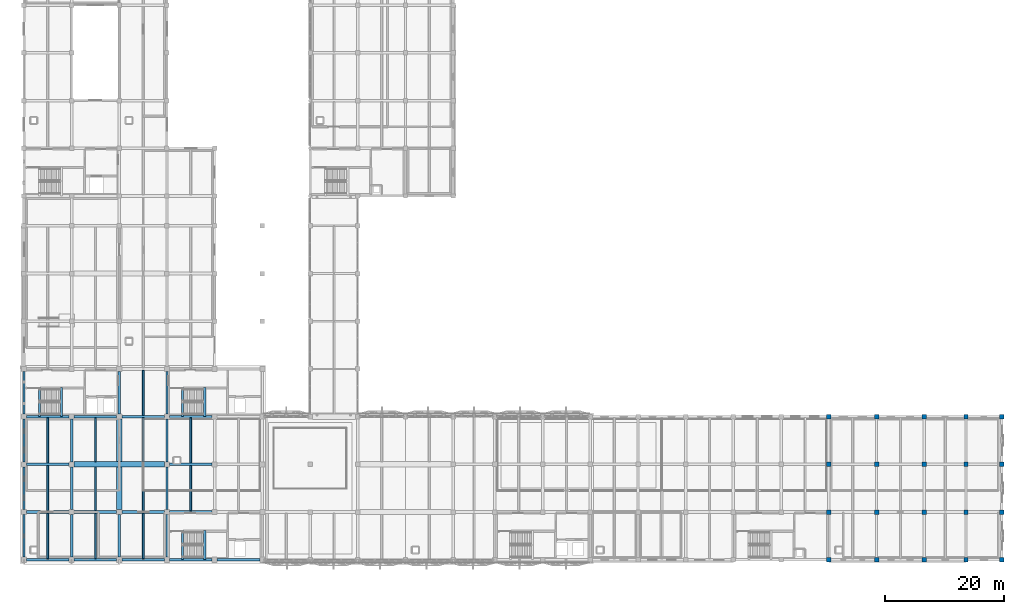
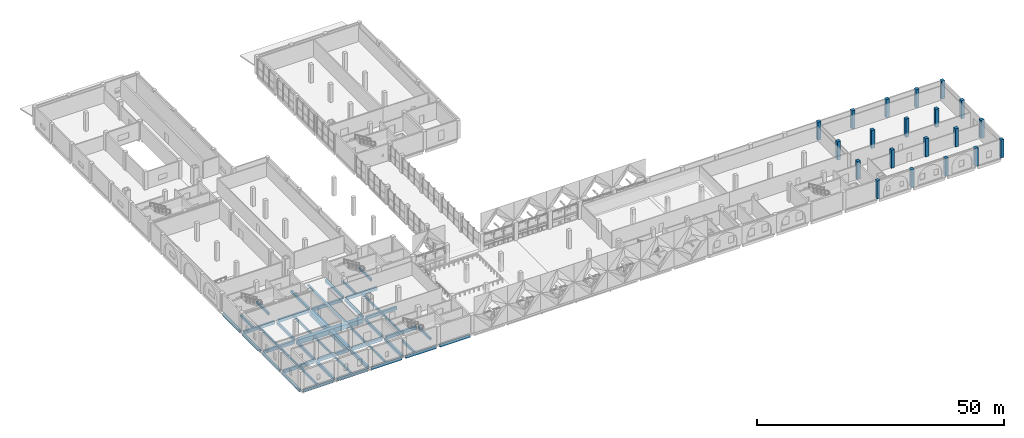
# One storey, part 4 of 53: 48 beams, 20 columns.
"""IFC4 building model written with IfcOpenShell, lengths in metres."""

from ifc_helpers import new_model, si_unit, direction, frame, origin, origin_2d, place, context, subcontext, project, spatial, rectangle, extrude, material, material_profile, profile_set, type_object, element, save


model = new_model("IFC4")

# Units and contexts
model_context = context("Model", 3, precision=1e-05, world=origin(), true_north=direction((0.0, 1.0)))
body_context = subcontext(model_context, "Body", "Model", "MODEL_VIEW")
ifc_project = project(units=[si_unit("LENGTHUNIT", "METRE"), si_unit("AREAUNIT", "SQUARE_METRE"), si_unit("VOLUMEUNIT", "CUBIC_METRE"), si_unit("PLANEANGLEUNIT", "RADIAN"), si_unit("MASSUNIT", "GRAM", prefix="KILO")], contexts=[model_context])

# Site, building, storey
site_placement = place(None, origin())
site = spatial("IfcSite", under=ifc_project, at=site_placement, CompositionType="ELEMENT")
building_placement = place(site_placement, origin())
building = spatial("IfcBuilding", under=site, at=building_placement, Name="Qorikala Patio Media Centre", CompositionType="ELEMENT")
storey_placement = place(building_placement, frame((0.0, 0.0, 5.39990234375)))
storey = spatial("IfcBuildingStorey", under=building, at=storey_placement, Name="L01", CompositionType="ELEMENT", Elevation=5.39990234375)

# Columns
ifc_material = material(Name="Concrete C35/45", Category="concrete")
ifc_material_profile_1 = material_profile(ifc_material, rectangle(XDim=0.75, YDim=0.75, at=origin_2d()), Name="RC 750x750")
ifc_profile_set_1 = profile_set([ifc_material_profile_1], Name="Concrete C35/45")
column_type_1 = type_object("IfcColumnType", Name="RC-COL-750-EXT", PredefinedType="COLUMN", material=ifc_profile_set_1)
for number, where, z_axis, x_axis, name in (
    (1, (138.0, 3.0, 0.0), (0.0, 0.0, 1.0), (1.0, 0.0, 0.0), "L01 Column (138,3)"),
    (2, (138.0, 27.0, 0.0), (0.0, 0.0, 1.0), (1.0, 0.0, 0.0), "L01 Column (138,27)"),
    (3, (146.0, 3.0, 0.0), (0.0, 0.0, 1.0), (1.0, 0.0, 0.0), "L01 Column (146,3)"),
    (4, (146.0, 27.0, 0.0), (0.0, 0.0, 1.0), (1.0, 0.0, 0.0), "L01 Column (146,27)"),
    (5, (154.0, 3.0, 0.0), (0.0, 0.0, 1.0), (1.0, 0.0, 0.0), "L01 Column (154,3)"),
    (6, (154.0, 27.0, 0.0), (0.0, 0.0, 1.0), (1.0, 0.0, 0.0), "L01 Column (154,27)"),
    (7, (161.0, 3.0, 0.0), (0.0, 0.0, 1.0), (1.0, 0.0, 0.0), "L01 Column (161,3)"),
    (8, (161.0, 27.0, 0.0), (0.0, 0.0, 1.0), (1.0, 0.0, 0.0), "L01 Column (161,27)"),
    (9, (167.0, 3.0, 0.0), (0.0, 0.0, 1.0), (1.0, 0.0, 0.0), "L01 Column (167,3)"),
    (10, (167.0, 11.0, 0.0), (0.0, 0.0, 1.0), (1.0, 0.0, 0.0), "L01 Column (167,11)"),
    (11, (167.0, 19.0, 0.0), (0.0, 0.0, 1.0), (1.0, 0.0, 0.0), "L01 Column (167,19)"),
    (12, (167.0, 27.0, 0.0), (0.0, 0.0, 1.0), (1.0, 0.0, 0.0), "L01 Column (167,27)"),
):
    element("IfcColumn", number, at=place(storey_placement, frame(where, z_axis=z_axis, x_axis=x_axis)), inside=storey, type_object=column_type_1, Name=name, PredefinedType="COLUMN", context=body_context, shape_type="SweptSolid", body=[
        extrude(rectangle(XDim=0.75, YDim=0.75, at=origin_2d()), origin(), (0.0, 0.0, 1.0), 4.5),
    ])
ifc_material_profile_2 = material_profile(ifc_material, rectangle(XDim=0.75, YDim=0.75, at=origin_2d()), Name="RC 750x750")
ifc_profile_set_2 = profile_set([ifc_material_profile_2], Name="Concrete C35/45")
column_type_2 = type_object("IfcColumnType", Name="RC-COL-750-INT", PredefinedType="COLUMN", material=ifc_profile_set_2)
for number, where, z_axis, x_axis, name in (
    (13, (138.0, 11.0, 0.0), (0.0, 0.0, 1.0), (1.0, 0.0, 0.0), "L01 Column (138,11)"),
    (14, (138.0, 19.0, 0.0), (0.0, 0.0, 1.0), (1.0, 0.0, 0.0), "L01 Column (138,19)"),
    (15, (146.0, 11.0, 0.0), (0.0, 0.0, 1.0), (1.0, 0.0, 0.0), "L01 Column (146,11)"),
    (16, (146.0, 19.0, 0.0), (0.0, 0.0, 1.0), (1.0, 0.0, 0.0), "L01 Column (146,19)"),
    (17, (154.0, 11.0, 0.0), (0.0, 0.0, 1.0), (1.0, 0.0, 0.0), "L01 Column (154,11)"),
    (18, (154.0, 19.0, 0.0), (0.0, 0.0, 1.0), (1.0, 0.0, 0.0), "L01 Column (154,19)"),
    (19, (161.0, 11.0, 0.0), (0.0, 0.0, 1.0), (1.0, 0.0, 0.0), "L01 Column (161,11)"),
    (20, (161.0, 19.0, 0.0), (0.0, 0.0, 1.0), (1.0, 0.0, 0.0), "L01 Column (161,19)"),
):
    element("IfcColumn", number, at=place(storey_placement, frame(where, z_axis=z_axis, x_axis=x_axis)), inside=storey, type_object=column_type_2, Name=name, PredefinedType="COLUMN", context=body_context, shape_type="SweptSolid", body=[
        extrude(rectangle(XDim=0.75, YDim=0.75, at=origin_2d()), origin(), (0.0, 0.0, 1.0), 4.5),
    ])

# Beams
ifc_material_profile_3 = material_profile(ifc_material, rectangle(XDim=0.35009765625, YDim=0.60009765625, at=origin_2d()), Name="RC 350x600")
ifc_profile_set_3 = profile_set([ifc_material_profile_3], Name="Concrete C35/45")
beam_type_1 = type_object("IfcBeamType", Name="BM-G350X600", PredefinedType="BEAM", material=ifc_profile_set_3)
beam_1_placement = place(storey_placement, frame((29.60009765625, 3.0, -0.2998046875), z_axis=(0.0, 1.0, 0.0), x_axis=(-1.0, 0.0, 0.0)))
element("IfcBeam", 21, at=beam_1_placement, inside=storey, type_object=beam_type_1, Name="L01 ST-1 Well Trimmer Beam", PredefinedType="BEAM", context=body_context, shape_type="SweptSolid", body=[
    extrude(rectangle(XDim=0.35009765625, YDim=0.60009765625, at=origin_2d()), origin(), (0.0, 0.0, 1.0), 4.8798828125),
])
beam_2_placement = place(storey_placement, frame((33.330078125, 3.02001953125, 1.75), z_axis=(0.0, 1.0, 0.0), x_axis=(-1.0, 0.0, 0.0)))
element("IfcBeam", 22, at=beam_2_placement, inside=storey, type_object=beam_type_1, Name="L01 ST-1 Landing Beam 1", PredefinedType="BEAM", context=body_context, shape_type="SweptSolid", body=[
    extrude(rectangle(XDim=0.35009765625, YDim=0.60009765625, at=origin_2d()), origin(), (0.0, 0.0, 1.0), 4.85986328125),
])
beam_3_placement = place(storey_placement, frame((5.60009765625, 27.0, -0.2998046875), z_axis=(0.0, 1.0, 0.0), x_axis=(-1.0, 0.0, 0.0)))
element("IfcBeam", 23, at=beam_3_placement, inside=storey, type_object=beam_type_1, Name="L01 ST-2 Well Trimmer Beam", PredefinedType="BEAM", context=body_context, shape_type="SweptSolid", body=[
    extrude(rectangle(XDim=0.35009765625, YDim=0.60009765625, at=origin_2d()), origin(), (0.0, 0.0, 1.0), 4.8798828125),
])
beam_4_placement = place(storey_placement, frame((9.330078125, 27.02001953125, 1.75), z_axis=(0.0, 1.0, 0.0), x_axis=(-1.0, 0.0, 0.0)))
element("IfcBeam", 24, at=beam_4_placement, inside=storey, type_object=beam_type_1, Name="L01 ST-2 Landing Beam 1", PredefinedType="BEAM", context=body_context, shape_type="SweptSolid", body=[
    extrude(rectangle(XDim=0.35009765625, YDim=0.60009765625, at=origin_2d()), origin(), (0.0, 0.0, 1.0), 4.85986328125),
])
beam_5_placement = place(storey_placement, frame((29.60009765625, 27.0, -0.2998046875), z_axis=(0.0, 1.0, 0.0), x_axis=(-1.0, 0.0, 0.0)))
element("IfcBeam", 25, at=beam_5_placement, inside=storey, type_object=beam_type_1, Name="L01 ST-5 Well Trimmer Beam", PredefinedType="BEAM", context=body_context, shape_type="SweptSolid", body=[
    extrude(rectangle(XDim=0.35009765625, YDim=0.60009765625, at=origin_2d()), origin(), (0.0, 0.0, 1.0), 4.8798828125),
])
beam_6_placement = place(storey_placement, frame((33.330078125, 27.02001953125, 1.75), z_axis=(0.0, 1.0, 0.0), x_axis=(-1.0, 0.0, 0.0)))
element("IfcBeam", 26, at=beam_6_placement, inside=storey, type_object=beam_type_1, Name="L01 ST-5 Landing Beam 1", PredefinedType="BEAM", context=body_context, shape_type="SweptSolid", body=[
    extrude(rectangle(XDim=0.35009765625, YDim=0.60009765625, at=origin_2d()), origin(), (0.0, 0.0, 1.0), 4.85986328125),
])
ifc_material_profile_4 = material_profile(ifc_material, rectangle(XDim=0.39990234375, YDim=0.699951171875, at=origin_2d()), Name="RC 400x700")
ifc_profile_set_4 = profile_set([ifc_material_profile_4], Name="Concrete C35/45")
beam_type_2 = type_object("IfcBeamType", Name="BM-G400X700", PredefinedType="BEAM", material=ifc_profile_set_4)
for number, where, z_axis, x_axis, name in (
    (27, (11.0, 3.425048828125, -0.64990234375), (0.0, 1.0, 0.0), (-1.0, 0.0, 0.0), "L01 Grid X=11 Beam 0549"),
    (28, (11.0, 11.425048828125, -0.64990234375), (0.0, 1.0, 0.0), (-1.0, 0.0, 0.0), "L01 Grid X=11 Beam 0550"),
    (29, (11.0, 19.425048828125, -0.64990234375), (0.0, 1.0, 0.0), (-1.0, 0.0, 0.0), "L01 Grid X=11 Beam 0551"),
    (30, (19.0, 3.425048828125, -0.64990234375), (0.0, 1.0, 0.0), (-1.0, 0.0, 0.0), "L01 Grid X=19 Beam 0559"),
    (31, (19.0, 27.425048828125, -0.64990234375), (0.0, 1.0, 0.0), (-1.0, 0.0, 0.0), "L01 Grid X=19 Beam 0561"),
    (32, (27.0, 3.425048828125, -0.64990234375), (0.0, 1.0, 0.0), (-1.0, 0.0, 0.0), "L01 Grid X=27 Beam 0569"),
    (33, (27.0, 11.425048828125, -0.64990234375), (0.0, 1.0, 0.0), (-1.0, 0.0, 0.0), "L01 Grid X=27 Beam 0570"),
    (34, (27.0, 19.425048828125, -0.64990234375), (0.0, 1.0, 0.0), (-1.0, 0.0, 0.0), "L01 Grid X=27 Beam 0571"),
    (35, (27.0, 27.425048828125, -0.64990234375), (0.0, 1.0, 0.0), (-1.0, 0.0, 0.0), "L01 Grid X=27 Beam 0572"),
):
    element("IfcBeam", number, at=place(storey_placement, frame(where, z_axis=z_axis, x_axis=x_axis)), inside=storey, type_object=beam_type_2, Name=name, PredefinedType="BEAM", context=body_context, shape_type="SweptSolid", body=[
        extrude(rectangle(XDim=0.39990234375, YDim=0.699951171875, at=origin_2d()), origin(), (0.0, 0.0, 1.0), 7.14990234375),
    ])
ifc_material_profile_5 = material_profile(ifc_material, rectangle(XDim=0.449951171875, YDim=0.75, at=origin_2d()), Name="RC 450x750")
ifc_profile_set_5 = profile_set([ifc_material_profile_5], Name="Concrete C35/45")
beam_type_3 = type_object("IfcBeamType", Name="BM-G450X750", PredefinedType="BEAM", material=ifc_profile_set_5)
for number, where, z_axis, x_axis, name in (
    (36, (3.425048828125, 11.0, -0.6748046875), (1.0, 0.0, 0.0), (0.0, 1.0, 0.0), "L01 Grid 11 Beam 0420"),
    (37, (11.425048828125, 11.0, -0.6748046875), (1.0, 0.0, 0.0), (0.0, 1.0, 0.0), "L01 Grid 11 Beam 0421"),
    (38, (19.425048828125, 11.0, -0.6748046875), (1.0, 0.0, 0.0), (0.0, 1.0, 0.0), "L01 Grid 11 Beam 0422"),
    (39, (27.425048828125, 11.0, -0.6748046875), (1.0, 0.0, 0.0), (0.0, 1.0, 0.0), "L01 Grid 11 Beam 0423"),
    (40, (3.425048828125, 19.0, -0.6748046875), (1.0, 0.0, 0.0), (0.0, 1.0, 0.0), "L01 Grid 19 Beam 0440"),
    (41, (27.425048828125, 19.0, -0.6748046875), (1.0, 0.0, 0.0), (0.0, 1.0, 0.0), "L01 Grid 19 Beam 0442"),
    (42, (3.425048828125, 27.0, -0.6748046875), (1.0, 0.0, 0.0), (0.0, 1.0, 0.0), "L01 Grid 27 Beam 0457"),
    (43, (11.425048828125, 27.0, -0.6748046875), (1.0, 0.0, 0.0), (0.0, 1.0, 0.0), "L01 Grid 27 Beam 0458"),
    (44, (19.425048828125, 27.0, -0.6748046875), (1.0, 0.0, 0.0), (0.0, 1.0, 0.0), "L01 Grid 27 Beam 0459"),
    (45, (27.425048828125, 27.0, -0.6748046875), (1.0, 0.0, 0.0), (0.0, 1.0, 0.0), "L01 Grid 27 Beam 0460"),
):
    element("IfcBeam", number, at=place(storey_placement, frame(where, z_axis=z_axis, x_axis=x_axis)), inside=storey, type_object=beam_type_3, Name=name, PredefinedType="BEAM", context=body_context, shape_type="SweptSolid", body=[
        extrude(rectangle(XDim=0.449951171875, YDim=0.75, at=origin_2d()), origin(), (0.0, 0.0, 1.0), 7.14990234375),
    ])
ifc_material_profile_6 = material_profile(ifc_material, rectangle(XDim=0.89990234375, YDim=1.14990234375, at=origin_2d()), Name="RC 900x1150")
ifc_profile_set_6 = profile_set([ifc_material_profile_6], Name="Concrete C35/45")
beam_type_4 = type_object("IfcBeamType", Name="BM-TR900X1150", PredefinedType="BEAM", material=ifc_profile_set_6)
for number, where, z_axis, x_axis, name in (
    (46, (11.425048828125, 19.0, -0.875), (1.0, 0.0, 0.0), (0.0, 1.0, 0.0), "L01 Grid 19 Beam 0441"),
    (47, (19.0, 11.425048828125, -0.875), (0.0, 1.0, 0.0), (-1.0, 0.0, 0.0), "L01 Grid X=19 Transfer Girder 0560"),
):
    element("IfcBeam", number, at=place(storey_placement, frame(where, z_axis=z_axis, x_axis=x_axis)), inside=storey, type_object=beam_type_4, Name=name, PredefinedType="BEAM", context=body_context, shape_type="SweptSolid", body=[
        extrude(rectangle(XDim=0.89990234375, YDim=1.14990234375, at=origin_2d()), origin(), (0.0, 0.0, 1.0), 15.14990234375),
    ])
ifc_material_profile_7 = material_profile(ifc_material, rectangle(XDim=0.300048828125, YDim=0.550048828125, at=origin_2d()), Name="RC 300x550")
ifc_profile_set_7 = profile_set([ifc_material_profile_7], Name="Concrete C35/45")
beam_type_5 = type_object("IfcBeamType", Name="JS-300X550", PredefinedType="JOIST", material=ifc_profile_set_7)
beam_7_placement = place(storey_placement, frame((7.0, 3.175048828125, -0.574951171875), z_axis=(0.0, 1.0, 0.0), x_axis=(-1.0, 0.0, 0.0)))
element("IfcBeam", 48, at=beam_7_placement, inside=storey, type_object=beam_type_5, Name="L01 Secondary Joist 0664", PredefinedType="JOIST", context=body_context, shape_type="SweptSolid", body=[
    extrude(rectangle(XDim=0.300048828125, YDim=0.550048828125, at=origin_2d()), origin(), (0.0, 0.0, 1.0), 7.599853515625),
])
for number, where, z_axis, x_axis, name in (
    (49, (7.0, 11.22509765625, -0.574951171875), (0.0, 1.0, 0.0), (-1.0, 0.0, 0.0), "L01 Secondary Joist 0665"),
    (50, (7.0, 19.22509765625, -0.574951171875), (0.0, 1.0, 0.0), (-1.0, 0.0, 0.0), "L01 Secondary Joist 0666"),
):
    element("IfcBeam", number, at=place(storey_placement, frame(where, z_axis=z_axis, x_axis=x_axis)), inside=storey, type_object=beam_type_5, Name=name, PredefinedType="JOIST", context=body_context, shape_type="SweptSolid", body=[
        extrude(rectangle(XDim=0.300048828125, YDim=0.550048828125, at=origin_2d()), origin(), (0.0, 0.0, 1.0), 7.5498046875),
    ])
beam_8_placement = place(storey_placement, frame((15.0, 3.175048828125, -0.574951171875), z_axis=(0.0, 1.0, 0.0), x_axis=(-1.0, 0.0, 0.0)))
element("IfcBeam", 51, at=beam_8_placement, inside=storey, type_object=beam_type_5, Name="L01 Secondary Joist 0675", PredefinedType="JOIST", context=body_context, shape_type="SweptSolid", body=[
    extrude(rectangle(XDim=0.300048828125, YDim=0.550048828125, at=origin_2d()), origin(), (0.0, 0.0, 1.0), 7.599853515625),
])
for number, where, z_axis, x_axis, name in (
    (52, (15.0, 11.22509765625, -0.574951171875), (0.0, 1.0, 0.0), (-1.0, 0.0, 0.0), "L01 Secondary Joist 0676"),
    (53, (15.0, 19.449951171875, -0.574951171875), (0.0, 1.0, 0.0), (-1.0, 0.0, 0.0), "L01 Secondary Joist 0677"),
):
    element("IfcBeam", number, at=place(storey_placement, frame(where, z_axis=z_axis, x_axis=x_axis)), inside=storey, type_object=beam_type_5, Name=name, PredefinedType="JOIST", context=body_context, shape_type="SweptSolid", body=[
        extrude(rectangle(XDim=0.300048828125, YDim=0.550048828125, at=origin_2d()), origin(), (0.0, 0.0, 1.0), 7.324951171875),
    ])
beam_9_placement = place(storey_placement, frame((23.0, 3.175048828125, -0.574951171875), z_axis=(0.0, 1.0, 0.0), x_axis=(-1.0, 0.0, 0.0)))
element("IfcBeam", 54, at=beam_9_placement, inside=storey, type_object=beam_type_5, Name="L01 Secondary Joist 0682", PredefinedType="JOIST", context=body_context, shape_type="SweptSolid", body=[
    extrude(rectangle(XDim=0.300048828125, YDim=0.550048828125, at=origin_2d()), origin(), (0.0, 0.0, 1.0), 7.599853515625),
])
for number, where, z_axis, x_axis, name in (
    (55, (23.0, 11.22509765625, -0.574951171875), (0.0, 1.0, 0.0), (-1.0, 0.0, 0.0), "L01 Secondary Joist 0683"),
    (56, (23.0, 19.449951171875, -0.574951171875), (0.0, 1.0, 0.0), (-1.0, 0.0, 0.0), "L01 Secondary Joist 0684"),
):
    element("IfcBeam", number, at=place(storey_placement, frame(where, z_axis=z_axis, x_axis=x_axis)), inside=storey, type_object=beam_type_5, Name=name, PredefinedType="JOIST", context=body_context, shape_type="SweptSolid", body=[
        extrude(rectangle(XDim=0.300048828125, YDim=0.550048828125, at=origin_2d()), origin(), (0.0, 0.0, 1.0), 7.324951171875),
    ])
for number, where, z_axis, x_axis, name in (
    (57, (23.0, 27.22509765625, -0.574951171875), (0.0, 1.0, 0.0), (-1.0, 0.0, 0.0), "L01 Secondary Joist 0685"),
    (58, (31.0, 11.22509765625, -0.574951171875), (0.0, 1.0, 0.0), (-1.0, 0.0, 0.0), "L01 Secondary Joist 0693"),
    (59, (31.0, 19.22509765625, -0.574951171875), (0.0, 1.0, 0.0), (-1.0, 0.0, 0.0), "L01 Secondary Joist 0694"),
):
    element("IfcBeam", number, at=place(storey_placement, frame(where, z_axis=z_axis, x_axis=x_axis)), inside=storey, type_object=beam_type_5, Name=name, PredefinedType="JOIST", context=body_context, shape_type="SweptSolid", body=[
        extrude(rectangle(XDim=0.300048828125, YDim=0.550048828125, at=origin_2d()), origin(), (0.0, 0.0, 1.0), 7.5498046875),
    ])
ifc_material_profile_8 = material_profile(ifc_material, rectangle(XDim=0.35009765625, YDim=0.679931640625, at=origin_2d()), Name="RC 350x680")
ifc_profile_set_8 = profile_set([ifc_material_profile_8], Name="Concrete C35/45")
beam_type_6 = type_object("IfcBeamType", Name="SP-350X680", PredefinedType="SPANDREL", material=ifc_profile_set_8)
for number, where, z_axis, x_axis, name in (
    (60, (3.425048828125, 3.0, -0.639892578125), (1.0, 0.0, 0.0), (0.0, 1.0, 0.0), "L01 Grid 3 Beam 0399"),
    (61, (11.425048828125, 3.0, -0.639892578125), (1.0, 0.0, 0.0), (0.0, 1.0, 0.0), "L01 Grid 3 Beam 0400"),
    (62, (19.425048828125, 3.0, -0.639892578125), (1.0, 0.0, 0.0), (0.0, 1.0, 0.0), "L01 Grid 3 Beam 0401"),
    (63, (27.425048828125, 3.0, -0.639892578125), (1.0, 0.0, 0.0), (0.0, 1.0, 0.0), "L01 Grid 3 Beam 0402"),
    (64, (35.425048828125, 3.0, -0.639892578125), (1.0, 0.0, 0.0), (0.0, 1.0, 0.0), "L01 Grid 3 Beam 0403"),
    (65, (3.0, 3.425048828125, -0.639892578125), (0.0, 1.0, 0.0), (-1.0, 0.0, 0.0), "L01 Grid X=3 Beam 0535"),
    (66, (3.0, 11.425048828125, -0.639892578125), (0.0, 1.0, 0.0), (-1.0, 0.0, 0.0), "L01 Grid X=3 Beam 0536"),
    (67, (3.0, 19.425048828125, -0.639892578125), (0.0, 1.0, 0.0), (-1.0, 0.0, 0.0), "L01 Grid X=3 Beam 0537"),
    (68, (3.0, 27.425048828125, -0.639892578125), (0.0, 1.0, 0.0), (-1.0, 0.0, 0.0), "L01 Grid X=3 Beam 0538"),
):
    element("IfcBeam", number, at=place(storey_placement, frame(where, z_axis=z_axis, x_axis=x_axis)), inside=storey, type_object=beam_type_6, Name=name, PredefinedType="SPANDREL", context=body_context, shape_type="SweptSolid", body=[
        extrude(rectangle(XDim=0.35009765625, YDim=0.679931640625, at=origin_2d()), origin(), (0.0, 0.0, 1.0), 7.14990234375),
    ])

save(model, "model.ifc")
